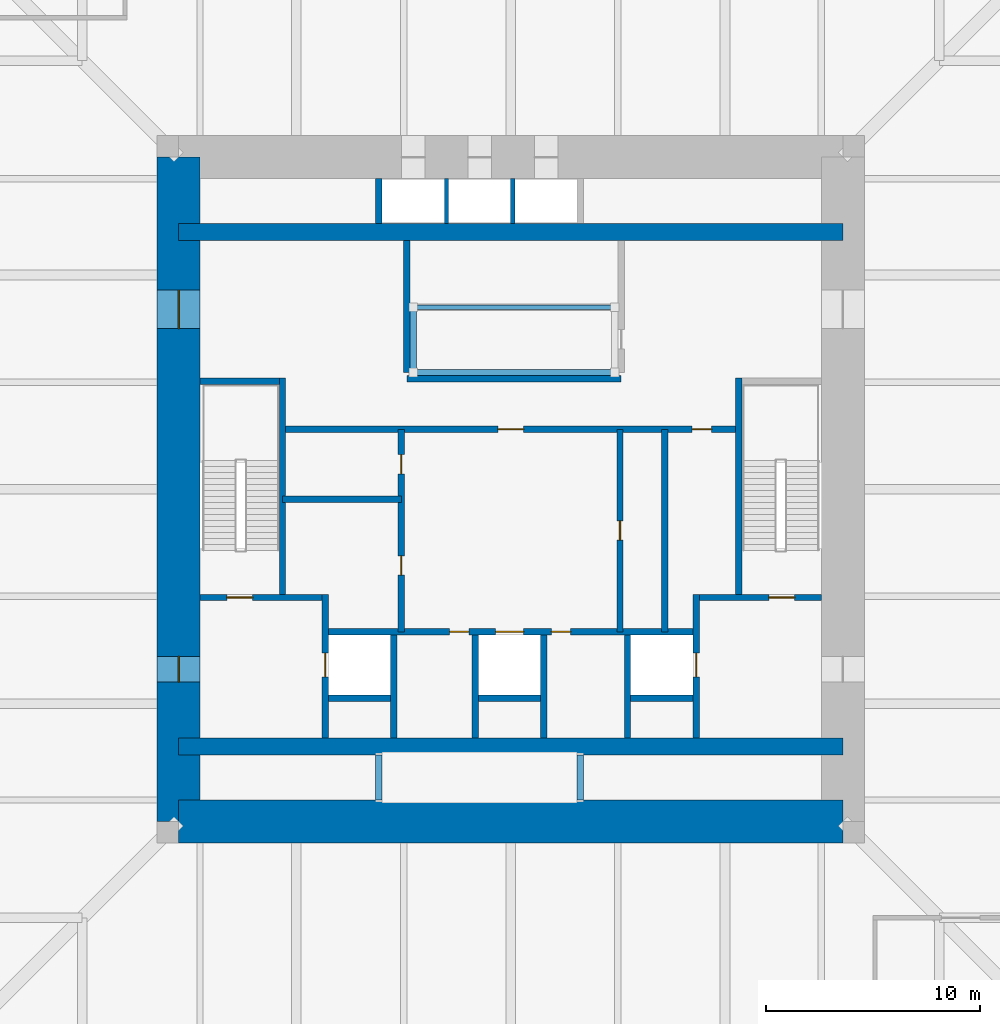
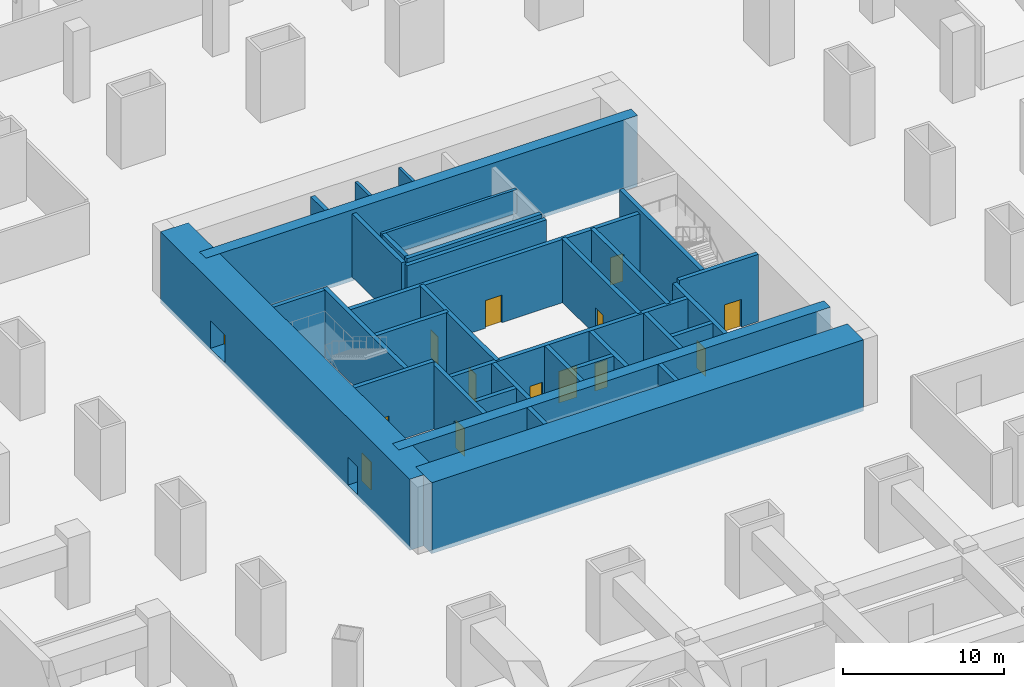
# One storey, part 6 of 12: 34 walls, 14 doors, 14 openings.
"""IFC4 building model written with IfcOpenShell, lengths in metres."""

from ifc_helpers import new_model, si_unit, direction, frame, frame_2d, origin, place, context, subcontext, project, spatial, rectangle, extrude, material, layer, layer_set, type_object, element, fill, save


model = new_model("IFC4")

# Units and contexts
model_context = context("Model", 3, precision=1e-05, world=origin(), true_north=direction((0.0, 1.0)))
body_context = subcontext(model_context, "Body", "Model", "MODEL_VIEW")
ifc_project = project(units=[si_unit("LENGTHUNIT", "METRE"), si_unit("AREAUNIT", "SQUARE_METRE"), si_unit("VOLUMEUNIT", "CUBIC_METRE"), si_unit("PLANEANGLEUNIT", "RADIAN"), si_unit("MASSUNIT", "GRAM", prefix="KILO")], contexts=[model_context])

# Site, building, storey
site_placement = place(None, origin())
site = spatial("IfcSite", under=ifc_project, at=site_placement, CompositionType="ELEMENT")
building_placement = place(site_placement, origin())
building = spatial("IfcBuilding", under=site, at=building_placement, Name="Khuree Lantern Residences", CompositionType="ELEMENT")
storey_placement = place(building_placement, frame((0.0, 0.0, -5.39990234375)))
storey = spatial("IfcBuildingStorey", under=building, at=storey_placement, Name="B1", CompositionType="ELEMENT", Elevation=-5.39990234375)

# Wall, opening, door
ifc_material_1 = material(Name="Dense concrete blockwork", Category="masonry")
ifc_layer_1 = layer(ifc_material_1, 0.300048828125)
ifc_layer_set_1 = layer_set([ifc_layer_1], Name="CORE PARTITION WALL CPW300 EI 120")
wall_type_1 = type_object("IfcWallType", Name="CORE PARTITION WALL CPW300 EI 120", PredefinedType="PARTITIONING", material=ifc_layer_set_1)
wall_1_placement = place(storey_placement, frame((-8.64990234375, -11.60009765625, 0.0), z_axis=(0.0, 0.0, 1.0), x_axis=(0.0, 1.0, 0.0)))
wall_1 = element("IfcWall", 1, at=wall_1_placement, inside=storey, type_object=wall_type_1, Name="B1 CORE WALL FL1W", PredefinedType="PARTITIONING", context=body_context, shape_type="SweptSolid", body=[
    extrude(rectangle(XDim=6.7001953125, YDim=0.300048828125, at=frame_2d((3.35009765625, 0.0))), origin(), (0.0, 0.0, 1.0), 4.7998046875),
])
opening_1_placement = place(wall_1_placement, frame((2.85009765625, 0.0, 0.0)))
opening_1 = element("IfcOpeningElement", 2, at=opening_1_placement, cuts=wall_1, Name="Opening B1-007", PredefinedType="OPENING", context=body_context, shape_type="SweptSolid", body=[
    extrude(rectangle(XDim=1.10009765625, YDim=2.10009765625, at=frame_2d((0.550048828125, 1.050048828125))), frame((0.0, 0.16015625, 0.0), z_axis=(0.0, -1.0, 0.0), x_axis=(1.0, 0.0, 0.0)), (0.0, 0.0, 1.0), 0.320068359375),
])
ifc_material_2 = material(Name="Stainless steel lift landing door", Category="steel")
door_type_1 = type_object("IfcDoorType", Name="LIFT LANDING DOOR 1100X2100 E 120", OperationType="DOUBLE_DOOR_SLIDING", PredefinedType="DOOR", material=ifc_material_2)
door_1_placement = place(opening_1_placement, origin())
door_1 = element("IfcDoor", 3, at=door_1_placement, inside=storey, type_object=door_type_1, Name="Landing door FL1 B1-007", OperationType="DOUBLE_DOOR_SLIDING", OverallHeight=2.10009765625, OverallWidth=1.10009765625, PredefinedType="DOOR", context=body_context, shape_type="SweptSolid", body=[
    extrude(rectangle(XDim=1.10009765625, YDim=2.10009765625, at=frame_2d((0.550048828125, 1.050048828125))), frame((0.0, 0.02490234375, 0.0), z_axis=(0.0, -1.0, 0.0), x_axis=(1.0, 0.0, 0.0)), (0.0, 0.0, 1.0), 0.050048828125),
])
fill(opening_1, door_1)

wall_2_placement = place(storey_placement, frame((8.64990234375, -11.60009765625, 0.0), z_axis=(0.0, 0.0, 1.0), x_axis=(0.0, 1.0, 0.0)))
wall_2 = element("IfcWall", 4, at=wall_2_placement, inside=storey, type_object=wall_type_1, Name="B1 CORE WALL FL2E", PredefinedType="PARTITIONING", context=body_context, shape_type="SweptSolid", body=[
    extrude(rectangle(XDim=6.7001953125, YDim=0.300048828125, at=frame_2d((3.35009765625, 0.0))), origin(), (0.0, 0.0, 1.0), 4.7998046875),
])
opening_2_placement = place(wall_2_placement, frame((2.85009765625, 0.0, 0.0)))
opening_2 = element("IfcOpeningElement", 5, at=opening_2_placement, cuts=wall_2, Name="Opening B1-008", PredefinedType="OPENING", context=body_context, shape_type="SweptSolid", body=[
    extrude(rectangle(XDim=1.10009765625, YDim=2.10009765625, at=frame_2d((0.550048828125, 1.050048828125))), frame((0.0, 0.16015625, 0.0), z_axis=(0.0, -1.0, 0.0), x_axis=(1.0, 0.0, 0.0)), (0.0, 0.0, 1.0), 0.320068359375),
])
door_2_placement = place(opening_2_placement, origin())
door_2 = element("IfcDoor", 6, at=door_2_placement, inside=storey, type_object=door_type_1, Name="Landing door FL2 B1-008", OperationType="DOUBLE_DOOR_SLIDING", OverallHeight=2.10009765625, OverallWidth=1.10009765625, PredefinedType="DOOR", context=body_context, shape_type="SweptSolid", body=[
    extrude(rectangle(XDim=1.10009765625, YDim=2.10009765625, at=frame_2d((0.550048828125, 1.050048828125))), frame((0.0, 0.02490234375, 0.0), z_axis=(0.0, -1.0, 0.0), x_axis=(1.0, 0.0, 0.0)), (0.0, 0.0, 1.0), 0.050048828125),
])
fill(opening_2, door_2)

# Wall, openings, doors
wall_3_placement = place(storey_placement, frame((-8.5, -6.64990234375, 0.0), z_axis=(0.0, 0.0, 1.0), x_axis=(1.0, 0.0, 0.0)))
wall_3 = element("IfcWall", 7, at=wall_3_placement, inside=storey, type_object=wall_type_1, Name="B1 CORE WALL FLROW", PredefinedType="PARTITIONING", context=body_context, shape_type="SweptSolid", body=[
    extrude(rectangle(XDim=17.0, YDim=0.300048828125, at=frame_2d((8.5, 0.0))), origin(), (0.0, 0.0, 1.0), 4.7998046875),
])
opening_3_placement = place(wall_3_placement, frame((7.800048828125, 0.0, 0.0)))
opening_3 = element("IfcOpeningElement", 8, at=opening_3_placement, cuts=wall_3, Name="Opening B1-012", PredefinedType="OPENING", context=body_context, shape_type="SweptSolid", body=[
    extrude(rectangle(XDim=1.300048828125, YDim=2.39990234375, at=frame_2d((0.64990234375, 1.199951171875))), frame((0.0, 0.16015625, 0.0), z_axis=(0.0, -1.0, 0.0), x_axis=(1.0, 0.0, 0.0)), (0.0, 0.0, 1.0), 0.320068359375),
])
opening_4_placement = place(wall_3_placement, frame((5.64990234375, 0.0, 0.0)))
opening_4 = element("IfcOpeningElement", 9, at=opening_4_placement, cuts=wall_3, Name="Opening B1-014", PredefinedType="OPENING", context=body_context, shape_type="SweptSolid", body=[
    extrude(rectangle(XDim=0.89990234375, YDim=2.10009765625, at=frame_2d((0.449951171875, 1.050048828125))), frame((0.0, 0.16015625, 0.0), z_axis=(0.0, -1.0, 0.0), x_axis=(1.0, 0.0, 0.0)), (0.0, 0.0, 1.0), 0.320068359375),
])
opening_5_placement = place(wall_3_placement, frame((10.39990234375, 0.0, 0.0)))
opening_5 = element("IfcOpeningElement", 10, at=opening_5_placement, cuts=wall_3, Name="Opening B1-015", PredefinedType="OPENING", context=body_context, shape_type="SweptSolid", body=[
    extrude(rectangle(XDim=0.89990234375, YDim=2.10009765625, at=frame_2d((0.449951171875, 1.050048828125))), frame((0.0, 0.16015625, 0.0), z_axis=(0.0, -1.0, 0.0), x_axis=(1.0, 0.0, 0.0)), (0.0, 0.0, 1.0), 0.320068359375),
])
ifc_material_3 = material(Name="Steel door leaf in steel frame", Category="steel")
door_type_2 = type_object("IfcDoorType", Name="DOOR 900X2100 EI 60", OperationType="SINGLE_SWING_LEFT", PredefinedType="DOOR", material=ifc_material_3)
door_3_placement = place(opening_4_placement, origin())
door_3 = element("IfcDoor", 11, at=door_3_placement, inside=storey, type_object=door_type_2, Name="Electrical riser door B1-014", OperationType="SINGLE_SWING_LEFT", OverallHeight=2.10009765625, OverallWidth=0.89990234375, PredefinedType="DOOR", context=body_context, shape_type="SweptSolid", body=[
    extrude(rectangle(XDim=0.89990234375, YDim=2.10009765625, at=frame_2d((0.449951171875, 1.050048828125))), frame((0.0, 0.02490234375, 0.0), z_axis=(0.0, -1.0, 0.0), x_axis=(1.0, 0.0, 0.0)), (0.0, 0.0, 1.0), 0.050048828125),
])
fill(opening_4, door_3)
door_type_3 = type_object("IfcDoorType", Name="DOOR 900X2100 EI 60 RIGHT HAND", OperationType="SINGLE_SWING_RIGHT", PredefinedType="DOOR", material=ifc_material_3)
door_4_placement = place(opening_5_placement, origin())
door_4 = element("IfcDoor", 12, at=door_4_placement, inside=storey, type_object=door_type_3, Name="Plumbing riser door B1-015", OperationType="SINGLE_SWING_RIGHT", OverallHeight=2.10009765625, OverallWidth=0.89990234375, PredefinedType="DOOR", context=body_context, shape_type="SweptSolid", body=[
    extrude(rectangle(XDim=0.89990234375, YDim=2.10009765625, at=frame_2d((0.449951171875, 1.050048828125))), frame((0.0, 0.02490234375, 0.0), z_axis=(0.0, -1.0, 0.0), x_axis=(1.0, 0.0, 0.0)), (0.0, 0.0, 1.0), 0.050048828125),
])
fill(opening_5, door_4)
door_type_4 = type_object("IfcDoorType", Name="LIFT LANDING DOOR 1300X2400 E 60", OperationType="DOUBLE_DOOR_SLIDING", PredefinedType="DOOR", material=ifc_material_2)
door_5_placement = place(opening_3_placement, origin())
door_5 = element("IfcDoor", 13, at=door_5_placement, inside=storey, type_object=door_type_4, Name="Landing door SL1 B1-012", OperationType="DOUBLE_DOOR_SLIDING", OverallHeight=2.39990234375, OverallWidth=1.300048828125, PredefinedType="DOOR", context=body_context, shape_type="SweptSolid", body=[
    extrude(rectangle(XDim=1.300048828125, YDim=2.39990234375, at=frame_2d((0.64990234375, 1.199951171875))), frame((0.0, 0.02490234375, 0.0), z_axis=(0.0, -1.0, 0.0), x_axis=(1.0, 0.0, 0.0)), (0.0, 0.0, 1.0), 0.050048828125),
])
fill(opening_3, door_5)

# Walls
for number, where, z_axis, x_axis, name in (
    (14, (-5.449951171875, -11.60009765625, 0.0), (0.0, 0.0, 1.0), (0.0, 1.0, 0.0), "B1 CORE WALL FL1E"),
    (15, (-1.64990234375, -11.60009765625, 0.0), (0.0, 0.0, 1.0), (0.0, 1.0, 0.0), "B1 CORE WALL SL1W"),
    (16, (1.550048828125, -11.60009765625, 0.0), (0.0, 0.0, 1.0), (0.0, 1.0, 0.0), "B1 CORE WALL SL1E"),
    (17, (5.449951171875, -11.60009765625, 0.0), (0.0, 0.0, 1.0), (0.0, 1.0, 0.0), "B1 CORE WALL FL2W"),
):
    element("IfcWall", number, at=place(storey_placement, frame(where, z_axis=z_axis, x_axis=x_axis)), inside=storey, type_object=wall_type_1, Name=name, PredefinedType="PARTITIONING", context=body_context, shape_type="SweptSolid", body=[
        extrude(rectangle(XDim=4.800048828125, YDim=0.300048828125, at=frame_2d((2.39990234375, 0.0))), origin(), (0.0, 0.0, 1.0), 4.7998046875),
    ])
for number, where, z_axis, x_axis, name in (
    (18, (-8.5, -9.75, 0.0), (0.0, 0.0, 1.0), (1.0, 0.0, 0.0), "B1 CORE WALL FL1S"),
    (19, (-1.5, -9.75, 0.0), (0.0, 0.0, 1.0), (1.0, 0.0, 0.0), "B1 CORE WALL SL1S"),
    (20, (5.60009765625, -9.75, 0.0), (0.0, 0.0, 1.0), (1.0, 0.0, 0.0), "B1 CORE WALL FL2S"),
):
    element("IfcWall", number, at=place(storey_placement, frame(where, z_axis=z_axis, x_axis=x_axis)), inside=storey, type_object=wall_type_1, Name=name, PredefinedType="PARTITIONING", context=body_context, shape_type="SweptSolid", body=[
        extrude(rectangle(XDim=2.89990234375, YDim=0.300048828125, at=frame_2d((1.449951171875, 0.0))), origin(), (0.0, 0.0, 1.0), 4.7998046875),
    ])
wall_4_placement = place(storey_placement, frame((-6.14990234375, 12.39990234375, 0.0), z_axis=(0.0, 0.0, 1.0), x_axis=(0.0, 1.0, 0.0)))
element("IfcWall", 21, at=wall_4_placement, inside=storey, type_object=wall_type_1, Name="B1 CORE WALL PLW", PredefinedType="PARTITIONING", context=body_context, shape_type="SweptSolid", body=[
    extrude(rectangle(XDim=2.10009765625, YDim=0.300048828125, at=frame_2d((1.050048828125, 0.0))), origin(), (0.0, 0.0, 1.0), 4.7998046875),
])

# Wall, openings, doors
wall_5_placement = place(storey_placement, frame((-10.64990234375, 2.800048828125, 0.0), z_axis=(0.0, 0.0, 1.0), x_axis=(1.0, 0.0, 0.0)))
wall_5 = element("IfcWall", 22, at=wall_5_placement, inside=storey, type_object=wall_type_1, Name="B1 CORE WALL LLS", PredefinedType="PARTITIONING", context=body_context, shape_type="SweptSolid", body=[
    extrude(rectangle(XDim=21.2998046875, YDim=0.300048828125, at=frame_2d((10.64990234375, 0.0))), origin(), (0.0, 0.0, 1.0), 4.7998046875),
])
opening_6_placement = place(wall_5_placement, frame((10.050048828125, 0.0, 0.0)))
opening_6 = element("IfcOpeningElement", 23, at=opening_6_placement, cuts=wall_5, Name="Opening B1-013", PredefinedType="OPENING", context=body_context, shape_type="SweptSolid", body=[
    extrude(rectangle(XDim=1.199951171875, YDim=2.10009765625, at=frame_2d((0.60009765625, 1.050048828125))), frame((0.0, 0.16015625, 0.0), z_axis=(0.0, -1.0, 0.0), x_axis=(1.0, 0.0, 0.0)), (0.0, 0.0, 1.0), 0.320068359375),
])
opening_7_placement = place(wall_5_placement, frame((19.12109375, 0.0, 0.0)))
opening_7 = element("IfcOpeningElement", 24, at=opening_7_placement, cuts=wall_5, Name="Opening B1-019", PredefinedType="OPENING", context=body_context, shape_type="SweptSolid", body=[
    extrude(rectangle(XDim=0.89990234375, YDim=2.10009765625, at=frame_2d((0.449951171875, 1.050048828125))), frame((0.0, 0.16015625, 0.0), z_axis=(0.0, -1.0, 0.0), x_axis=(1.0, 0.0, 0.0)), (0.0, 0.0, 1.0), 0.320068359375),
])
door_type_5 = type_object("IfcDoorType", Name="DOOR 1200X2100 EI 60", OperationType="SINGLE_SWING_LEFT", PredefinedType="DOOR", material=ifc_material_3)
door_6_placement = place(opening_6_placement, origin())
door_6 = element("IfcDoor", 25, at=door_6_placement, inside=storey, type_object=door_type_5, Name="Service lift lobby door B1-013", OperationType="SINGLE_SWING_LEFT", OverallHeight=2.10009765625, OverallWidth=1.199951171875, PredefinedType="DOOR", context=body_context, shape_type="SweptSolid", body=[
    extrude(rectangle(XDim=1.199951171875, YDim=2.10009765625, at=frame_2d((0.60009765625, 1.050048828125))), frame((0.0, 0.02490234375, 0.0), z_axis=(0.0, -1.0, 0.0), x_axis=(1.0, 0.0, 0.0)), (0.0, 0.0, 1.0), 0.050048828125),
])
fill(opening_6, door_6)
ifc_material_4 = material(Name="Timber door leaf in hardwood frame", Category="wood")
door_type_6 = type_object("IfcDoorType", Name="DOOR 900X2100 RIGHT HAND", OperationType="SINGLE_SWING_RIGHT", PredefinedType="DOOR", material=ifc_material_4)
door_7_placement = place(opening_7_placement, origin())
door_7 = element("IfcDoor", 26, at=door_7_placement, inside=storey, type_object=door_type_6, Name="Store door B1-019", OperationType="SINGLE_SWING_RIGHT", OverallHeight=2.10009765625, OverallWidth=0.89990234375, PredefinedType="DOOR", context=body_context, shape_type="SweptSolid", body=[
    extrude(rectangle(XDim=0.89990234375, YDim=2.10009765625, at=frame_2d((0.449951171875, 1.050048828125))), frame((0.0, 0.02490234375, 0.0), z_axis=(0.0, -1.0, 0.0), x_axis=(1.0, 0.0, 0.0)), (0.0, 0.0, 1.0), 0.050048828125),
])
fill(opening_7, door_7)

wall_6_placement = place(storey_placement, frame((-5.10009765625, -6.64990234375, 0.0), z_axis=(0.0, 0.0, 1.0), x_axis=(0.0, 1.0, 0.0)))
wall_6 = element("IfcWall", 27, at=wall_6_placement, inside=storey, type_object=wall_type_1, Name="B1 CORE WALL SVW", PredefinedType="PARTITIONING", context=body_context, shape_type="SweptSolid", body=[
    extrude(rectangle(XDim=9.449951171875, YDim=0.300048828125, at=frame_2d((4.72509765625, 0.0))), origin(), (0.0, 0.0, 1.0), 4.7998046875),
])
opening_8_placement = place(wall_6_placement, frame((2.64794921875, 0.0, 0.0)))
opening_8 = element("IfcOpeningElement", 28, at=opening_8_placement, cuts=wall_6, Name="Opening B1-016", PredefinedType="OPENING", context=body_context, shape_type="SweptSolid", body=[
    extrude(rectangle(XDim=0.89990234375, YDim=2.10009765625, at=frame_2d((0.449951171875, 1.050048828125))), frame((0.0, 0.16015625, 0.0), z_axis=(0.0, -1.0, 0.0), x_axis=(1.0, 0.0, 0.0)), (0.0, 0.0, 1.0), 0.320068359375),
])
opening_9_placement = place(wall_6_placement, frame((7.373046875, 0.0, 0.0)))
opening_9 = element("IfcOpeningElement", 29, at=opening_9_placement, cuts=wall_6, Name="Opening B1-017", PredefinedType="OPENING", context=body_context, shape_type="SweptSolid", body=[
    extrude(rectangle(XDim=0.89990234375, YDim=2.10009765625, at=frame_2d((0.449951171875, 1.050048828125))), frame((0.0, 0.16015625, 0.0), z_axis=(0.0, -1.0, 0.0), x_axis=(1.0, 0.0, 0.0)), (0.0, 0.0, 1.0), 0.320068359375),
])
door_type_7 = type_object("IfcDoorType", Name="DOOR 900X2100", OperationType="SINGLE_SWING_LEFT", PredefinedType="DOOR", material=ifc_material_4)
door_8_placement = place(opening_8_placement, origin())
door_8 = element("IfcDoor", 30, at=door_8_placement, inside=storey, type_object=door_type_7, Name="Store door B1-016", OperationType="SINGLE_SWING_LEFT", OverallHeight=2.10009765625, OverallWidth=0.89990234375, PredefinedType="DOOR", context=body_context, shape_type="SweptSolid", body=[
    extrude(rectangle(XDim=0.89990234375, YDim=2.10009765625, at=frame_2d((0.449951171875, 1.050048828125))), frame((0.0, 0.02490234375, 0.0), z_axis=(0.0, -1.0, 0.0), x_axis=(1.0, 0.0, 0.0)), (0.0, 0.0, 1.0), 0.050048828125),
])
fill(opening_8, door_8)
door_9_placement = place(opening_9_placement, origin())
door_9 = element("IfcDoor", 31, at=door_9_placement, inside=storey, type_object=door_type_7, Name="Maintenance store door B1-017", OperationType="SINGLE_SWING_LEFT", OverallHeight=2.10009765625, OverallWidth=0.89990234375, PredefinedType="DOOR", context=body_context, shape_type="SweptSolid", body=[
    extrude(rectangle(XDim=0.89990234375, YDim=2.10009765625, at=frame_2d((0.449951171875, 1.050048828125))), frame((0.0, 0.02490234375, 0.0), z_axis=(0.0, -1.0, 0.0), x_axis=(1.0, 0.0, 0.0)), (0.0, 0.0, 1.0), 0.050048828125),
])
fill(opening_9, door_9)

# Wall, opening, door
wall_7_placement = place(storey_placement, frame((5.10009765625, -6.64990234375, 0.0), z_axis=(0.0, 0.0, 1.0), x_axis=(0.0, 1.0, 0.0)))
wall_7 = element("IfcWall", 32, at=wall_7_placement, inside=storey, type_object=wall_type_1, Name="B1 CORE WALL SVE", PredefinedType="PARTITIONING", context=body_context, shape_type="SweptSolid", body=[
    extrude(rectangle(XDim=9.449951171875, YDim=0.300048828125, at=frame_2d((4.72509765625, 0.0))), origin(), (0.0, 0.0, 1.0), 4.7998046875),
])
opening_10_placement = place(wall_7_placement, frame((4.27490234375, 0.0, 0.0)))
opening_10 = element("IfcOpeningElement", 33, at=opening_10_placement, cuts=wall_7, Name="Opening B1-018", PredefinedType="OPENING", context=body_context, shape_type="SweptSolid", body=[
    extrude(rectangle(XDim=0.89990234375, YDim=2.10009765625, at=frame_2d((0.449951171875, 1.050048828125))), frame((0.0, 0.16015625, 0.0), z_axis=(0.0, -1.0, 0.0), x_axis=(1.0, 0.0, 0.0)), (0.0, 0.0, 1.0), 0.320068359375),
])
door_10_placement = place(opening_10_placement, origin())
door_10 = element("IfcDoor", 34, at=door_10_placement, inside=storey, type_object=door_type_7, Name="Spares store door B1-018", OperationType="SINGLE_SWING_LEFT", OverallHeight=2.10009765625, OverallWidth=0.89990234375, PredefinedType="DOOR", context=body_context, shape_type="SweptSolid", body=[
    extrude(rectangle(XDim=0.89990234375, YDim=2.10009765625, at=frame_2d((0.449951171875, 1.050048828125))), frame((0.0, 0.02490234375, 0.0), z_axis=(0.0, -1.0, 0.0), x_axis=(1.0, 0.0, 0.0)), (0.0, 0.0, 1.0), 0.050048828125),
])
fill(opening_10, door_10)

# Walls
wall_8_placement = place(storey_placement, frame((-10.64990234375, -0.455078125, 0.0), z_axis=(0.0, 0.0, 1.0), x_axis=(1.0, 0.0, 0.0)))
element("IfcWall", 35, at=wall_8_placement, inside=storey, type_object=wall_type_1, Name="B1 CORE WALL WX", PredefinedType="PARTITIONING", context=body_context, shape_type="SweptSolid", body=[
    extrude(rectangle(XDim=5.5498046875, YDim=0.300048828125, at=frame_2d((2.77490234375, 0.0))), origin(), (0.0, 0.0, 1.0), 4.7998046875),
])
wall_9_placement = place(storey_placement, frame((7.193115234375, -6.64990234375, 0.0), z_axis=(0.0, 0.0, 1.0), x_axis=(0.0, 1.0, 0.0)))
element("IfcWall", 36, at=wall_9_placement, inside=storey, type_object=wall_type_1, Name="B1 CORE WALL EV", PredefinedType="PARTITIONING", context=body_context, shape_type="SweptSolid", body=[
    extrude(rectangle(XDim=9.449951171875, YDim=0.300048828125, at=frame_2d((4.72509765625, 0.0))), origin(), (0.0, 0.0, 1.0), 4.7998046875),
])
wall_10_placement = place(storey_placement, frame((-4.85009765625, 5.14990234375, 0.0), z_axis=(0.0, 0.0, 1.0), x_axis=(1.0, 0.0, 0.0)))
element("IfcWall", 37, at=wall_10_placement, inside=storey, type_object=wall_type_1, Name="B1 CORE WALL LLN", PredefinedType="PARTITIONING", context=body_context, shape_type="SweptSolid", body=[
    extrude(rectangle(XDim=10.0, YDim=0.300048828125, at=frame_2d((5.0, 0.0))), origin(), (0.0, 0.0, 1.0), 4.7998046875),
])
wall_11_placement = place(storey_placement, frame((-4.85009765625, 5.449951171875, 0.0), z_axis=(0.0, 0.0, 1.0), x_axis=(0.0, 1.0, 0.0)))
element("IfcWall", 38, at=wall_11_placement, inside=storey, type_object=wall_type_1, Name="B1 CORE WALL NW", PredefinedType="PARTITIONING", context=body_context, shape_type="SweptSolid", body=[
    extrude(rectangle(XDim=6.150146484375, YDim=0.300048828125, at=frame_2d((3.0751953125, 0.0))), origin(), (0.0, 0.0, 1.0), 4.7998046875),
])
ifc_material_5 = material(Name="Concrete C70/85", Category="concrete")
ifc_layer_2 = layer(ifc_material_5, 2.0)
ifc_layer_set_2 = layer_set([ifc_layer_2], Name="CW2000-C70 CORE WALL C70 2000")
wall_type_2 = type_object("IfcWallType", Name="CW2000-C70 CORE WALL C70 2000", PredefinedType="SHEAR", material=ifc_layer_set_2)
wall_12_placement = place(storey_placement, frame((-15.5, -15.5, -0.300048828125), z_axis=(0.0, 0.0, 1.0), x_axis=(1.0, 0.0, 0.0)))
element("IfcWall", 39, at=wall_12_placement, inside=storey, type_object=wall_type_2, Name="Core wall S", PredefinedType="SHEAR", context=body_context, shape_type="SweptSolid", body=[
    extrude(rectangle(XDim=31.0, YDim=2.0, at=frame_2d((15.5, 0.0))), origin(), (0.0, 0.0, 1.0), 5.39990234375),
])

# Wall, openings, doors
wall_13_placement = place(storey_placement, frame((-15.5, -15.5, -0.300048828125), z_axis=(0.0, 0.0, 1.0), x_axis=(0.0, 1.0, 0.0)))
wall_13 = element("IfcWall", 40, at=wall_13_placement, inside=storey, type_object=wall_type_2, Name="Core wall W", PredefinedType="SHEAR", context=body_context, shape_type="SweptSolid", body=[
    extrude(rectangle(XDim=31.0, YDim=2.0, at=frame_2d((15.5, 0.0))), origin(), (0.0, 0.0, 1.0), 5.39990234375),
])
opening_11_placement = place(wall_13_placement, frame((6.5, 0.0, 0.300048828125)))
opening_11 = element("IfcOpeningElement", 41, at=opening_11_placement, cuts=wall_13, Name="Opening B1-002", PredefinedType="OPENING", context=body_context, shape_type="SweptSolid", body=[
    extrude(rectangle(XDim=1.199951171875, YDim=2.10009765625, at=frame_2d((0.60009765625, 1.050048828125))), frame((0.0, 1.010009765625, 0.0), z_axis=(0.0, -1.0, 0.0), x_axis=(1.0, 0.0, 0.0)), (0.0, 0.0, 1.0), 2.02001953125),
])
opening_12_placement = place(wall_13_placement, frame((23.0, 0.0, 0.300048828125)))
opening_12 = element("IfcOpeningElement", 42, at=opening_12_placement, cuts=wall_13, Name="Opening B1-003", PredefinedType="OPENING", context=body_context, shape_type="SweptSolid", body=[
    extrude(rectangle(XDim=1.800048828125, YDim=2.10009765625, at=frame_2d((0.89990234375, 1.050048828125))), frame((0.0, 1.010009765625, 0.0), z_axis=(0.0, -1.0, 0.0), x_axis=(1.0, 0.0, 0.0)), (0.0, 0.0, 1.0), 2.02001953125),
])
door_type_8 = type_object("IfcDoorType", Name="LOBBY DOOR 1200X2100 EI 120", OperationType="SINGLE_SWING_LEFT", PredefinedType="DOOR", material=ifc_material_3)
door_11_placement = place(opening_11_placement, origin())
door_11 = element("IfcDoor", 43, at=door_11_placement, inside=storey, type_object=door_type_8, Name="Firefighting lobby door B1-002", OperationType="SINGLE_SWING_LEFT", OverallHeight=2.10009765625, OverallWidth=1.199951171875, PredefinedType="DOOR", context=body_context, shape_type="SweptSolid", body=[
    extrude(rectangle(XDim=1.199951171875, YDim=2.10009765625, at=frame_2d((0.60009765625, 1.050048828125))), frame((0.0, 0.02490234375, 0.0), z_axis=(0.0, -1.0, 0.0), x_axis=(1.0, 0.0, 0.0)), (0.0, 0.0, 1.0), 0.050048828125),
])
fill(opening_11, door_11)
door_type_9 = type_object("IfcDoorType", Name="LOBBY DOUBLE DOOR 1800X2100 EI 60", OperationType="DOUBLE_DOOR_SINGLE_SWING", PredefinedType="DOOR", material=ifc_material_3)
door_12_placement = place(opening_12_placement, origin())
door_12 = element("IfcDoor", 44, at=door_12_placement, inside=storey, type_object=door_type_9, Name="Lift lobby door B1-003", OperationType="DOUBLE_DOOR_SINGLE_SWING", OverallHeight=2.10009765625, OverallWidth=1.800048828125, PredefinedType="DOOR", context=body_context, shape_type="SweptSolid", body=[
    extrude(rectangle(XDim=1.800048828125, YDim=2.10009765625, at=frame_2d((0.89990234375, 1.050048828125))), frame((0.0, 0.02490234375, 0.0), z_axis=(0.0, -1.0, 0.0), x_axis=(1.0, 0.0, 0.0)), (0.0, 0.0, 1.0), 0.050048828125),
])
fill(opening_12, door_12)

# Walls
ifc_material_6 = material(Name="Concrete C40/50", Category="concrete")
ifc_layer_3 = layer(ifc_material_6, 0.300048828125)
ifc_layer_set_3 = layer_set([ifc_layer_3], Name="LIFT PIT WALL PW2 300")
wall_type_3 = type_object("IfcWallType", Name="LIFT PIT WALL PW2 300", PredefinedType="SOLIDWALL", material=ifc_layer_set_3)
wall_14_placement = place(storey_placement, frame((-4.699951171875, 5.449951171875, 3.2998046875), z_axis=(0.0, 0.0, 1.0), x_axis=(1.0, 0.0, 0.0)))
element("IfcWall", 45, at=wall_14_placement, inside=storey, type_object=wall_type_3, Name="Lift bank PH pit wall", PredefinedType="SOLIDWALL", context=body_context, shape_type="SweptSolid", body=[
    extrude(rectangle(XDim=9.699951171875, YDim=0.300048828125, at=frame_2d((4.85009765625, 0.0))), origin(), (0.0, 0.0, 1.0), 1.800048828125),
])
wall_15_placement = place(storey_placement, frame((-4.550048828125, 5.60009765625, 3.2998046875), z_axis=(0.0, 0.0, 1.0), x_axis=(0.0, 1.0, 0.0)))
element("IfcWall", 46, at=wall_15_placement, inside=storey, type_object=wall_type_3, Name="Lift bank PH pit wall", PredefinedType="SOLIDWALL", context=body_context, shape_type="SweptSolid", body=[
    extrude(rectangle(XDim=2.7998046875, YDim=0.300048828125, at=frame_2d((1.39990234375, 0.0))), origin(), (0.0, 0.0, 1.0), 1.800048828125),
])
for number, where, z_axis, x_axis, name in (
    (47, (-6.14990234375, -14.5, 3.2998046875), (0.0, 0.0, 1.0), (0.0, 1.0, 0.0), "Lift bank PM pit wall"),
    (48, (3.25, -14.5, 3.2998046875), (0.0, 0.0, 1.0), (0.0, 1.0, 0.0), "Lift bank PM pit wall"),
):
    element("IfcWall", number, at=place(storey_placement, frame(where, z_axis=z_axis, x_axis=x_axis)), inside=storey, type_object=wall_type_3, Name=name, PredefinedType="SOLIDWALL", context=body_context, shape_type="SweptSolid", body=[
        extrude(rectangle(XDim=2.10009765625, YDim=0.300048828125, at=frame_2d((1.050048828125, 0.0))), origin(), (0.0, 0.0, 1.0), 1.800048828125),
    ])
ifc_layer_4 = layer(ifc_material_6, 0.199951171875)
ifc_layer_set_4 = layer_set([ifc_layer_4], Name="LIFT PIT WALL PW3 200")
wall_type_4 = type_object("IfcWallType", Name="LIFT PIT WALL PW3 200", PredefinedType="SOLIDWALL", material=ifc_layer_set_4)
wall_16_placement = place(storey_placement, frame((-4.699951171875, 8.5, 3.2998046875), z_axis=(0.0, 0.0, 1.0), x_axis=(1.0, 0.0, 0.0)))
element("IfcWall", 49, at=wall_16_placement, inside=storey, type_object=wall_type_4, Name="Lift bank PH pit wall", PredefinedType="SOLIDWALL", context=body_context, shape_type="SweptSolid", body=[
    extrude(rectangle(XDim=9.699951171875, YDim=0.199951171875, at=frame_2d((4.85009765625, 0.0))), origin(), (0.0, 0.0, 1.0), 1.800048828125),
])
ifc_layer_5 = layer(ifc_material_1, 0.199951171875)
ifc_layer_set_5 = layer_set([ifc_layer_5], Name="SHAFT WALL SHW200 EI 120")
wall_type_5 = type_object("IfcWallType", Name="SHAFT WALL SHW200 EI 120", PredefinedType="PARTITIONING", material=ifc_layer_set_5)
for number, where, z_axis, x_axis, name in (
    (50, (-3.0, 12.39990234375, 0.0), (0.0, 0.0, 1.0), (0.0, 1.0, 0.0), "B1 CORE WALL PLD1"),
    (51, (0.10009765625, 12.39990234375, 0.0), (0.0, 0.0, 1.0), (0.0, 1.0, 0.0), "B1 CORE WALL PLD2"),
):
    element("IfcWall", number, at=place(storey_placement, frame(where, z_axis=z_axis, x_axis=x_axis)), inside=storey, type_object=wall_type_5, Name=name, PredefinedType="PARTITIONING", context=body_context, shape_type="SweptSolid", body=[
        extrude(rectangle(XDim=2.10009765625, YDim=0.199951171875, at=frame_2d((1.050048828125, 0.0))), origin(), (0.0, 0.0, 1.0), 4.7998046875),
    ])
ifc_layer_6 = layer(ifc_material_5, 0.800048828125)
ifc_layer_set_6 = layer_set([ifc_layer_6], Name="SP800-C70 CORE SPINE WALL C70 800")
wall_type_6 = type_object("IfcWallType", Name="SP800-C70 CORE SPINE WALL C70 800", PredefinedType="SHEAR", material=ifc_layer_set_6)
for number, where, z_axis, x_axis, name in (
    (52, (-15.5, 12.0, -0.300048828125), (0.0, 0.0, 1.0), (1.0, 0.0, 0.0), "Core wall SPN"),
    (53, (-15.5, -12.0, -0.300048828125), (0.0, 0.0, 1.0), (1.0, 0.0, 0.0), "Core wall SPS"),
):
    element("IfcWall", number, at=place(storey_placement, frame(where, z_axis=z_axis, x_axis=x_axis)), inside=storey, type_object=wall_type_6, Name=name, PredefinedType="SHEAR", context=body_context, shape_type="SweptSolid", body=[
        extrude(rectangle(XDim=31.0, YDim=0.800048828125, at=frame_2d((15.5, 0.0))), origin(), (0.0, 0.0, 1.0), 5.39990234375),
    ])
ifc_material_7 = material(Name="Concrete C50/60", Category="concrete")
ifc_layer_7 = layer(ifc_material_7, 0.300048828125)
ifc_layer_set_7 = layer_set([ifc_layer_7], Name="STAIR WALL SRW300 C50/60 REI 240")
wall_type_7 = type_object("IfcWallType", Name="STAIR WALL SRW300 C50/60 REI 240", PredefinedType="SOLIDWALL", material=ifc_layer_set_7)
wall_17_placement = place(storey_placement, frame((-10.64990234375, -4.89990234375, 0.0), z_axis=(0.0, 0.0, 1.0), x_axis=(0.0, 1.0, 0.0)))
element("IfcWall", 54, at=wall_17_placement, inside=storey, type_object=wall_type_7, Name="B1 STAIR WALL ST1E", PredefinedType="SOLIDWALL", context=body_context, shape_type="SweptSolid", body=[
    extrude(rectangle(XDim=10.099853515625, YDim=0.300048828125, at=frame_2d((5.0498046875, 0.0))), origin(), (0.0, 0.0, 1.0), 5.099853515625),
])

# Wall, opening, door
wall_18_placement = place(storey_placement, frame((-14.5, -5.050048828125, 0.0), z_axis=(0.0, 0.0, 1.0), x_axis=(1.0, 0.0, 0.0)))
wall_18 = element("IfcWall", 55, at=wall_18_placement, inside=storey, type_object=wall_type_7, Name="B1 STAIR WALL ST1S", PredefinedType="SOLIDWALL", context=body_context, shape_type="SweptSolid", body=[
    extrude(rectangle(XDim=5.699951171875, YDim=0.300048828125, at=frame_2d((2.85009765625, 0.0))), origin(), (0.0, 0.0, 1.0), 5.099853515625),
])
opening_13_placement = place(wall_18_placement, frame((1.25, 0.0, 0.0)))
opening_13 = element("IfcOpeningElement", 56, at=opening_13_placement, cuts=wall_18, Name="Opening B1-001", PredefinedType="OPENING", context=body_context, shape_type="SweptSolid", body=[
    extrude(rectangle(XDim=1.199951171875, YDim=2.10009765625, at=frame_2d((0.60009765625, 1.050048828125))), frame((0.0, 0.16015625, 0.0), z_axis=(0.0, -1.0, 0.0), x_axis=(1.0, 0.0, 0.0)), (0.0, 0.0, 1.0), 0.320068359375),
])
door_type_10 = type_object("IfcDoorType", Name="STAIR DOOR 1200X2100 EI 120", OperationType="SINGLE_SWING_LEFT", PredefinedType="DOOR", material=ifc_material_3)
door_13_placement = place(opening_13_placement, origin())
door_13 = element("IfcDoor", 57, at=door_13_placement, inside=storey, type_object=door_type_10, Name="Stair ST1 door B1-001", OperationType="SINGLE_SWING_LEFT", OverallHeight=2.10009765625, OverallWidth=1.199951171875, PredefinedType="DOOR", context=body_context, shape_type="SweptSolid", body=[
    extrude(rectangle(XDim=1.199951171875, YDim=2.10009765625, at=frame_2d((0.60009765625, 1.050048828125))), frame((0.0, 0.02490234375, 0.0), z_axis=(0.0, -1.0, 0.0), x_axis=(1.0, 0.0, 0.0)), (0.0, 0.0, 1.0), 0.050048828125),
])
fill(opening_13, door_13)

# Walls
wall_19_placement = place(storey_placement, frame((-14.5, 5.050048828125, 0.0), z_axis=(0.0, 0.0, 1.0), x_axis=(1.0, 0.0, 0.0)))
element("IfcWall", 58, at=wall_19_placement, inside=storey, type_object=wall_type_7, Name="B1 STAIR WALL ST1N", PredefinedType="SOLIDWALL", context=body_context, shape_type="SweptSolid", body=[
    extrude(rectangle(XDim=3.699951171875, YDim=0.300048828125, at=frame_2d((1.85009765625, 0.0))), origin(), (0.0, 0.0, 1.0), 5.099853515625),
])
wall_20_placement = place(storey_placement, frame((10.64990234375, -4.89990234375, 0.0), z_axis=(0.0, 0.0, 1.0), x_axis=(0.0, 1.0, 0.0)))
element("IfcWall", 59, at=wall_20_placement, inside=storey, type_object=wall_type_7, Name="B1 STAIR WALL ST2E", PredefinedType="SOLIDWALL", context=body_context, shape_type="SweptSolid", body=[
    extrude(rectangle(XDim=10.099853515625, YDim=0.300048828125, at=frame_2d((5.0498046875, 0.0))), origin(), (0.0, 0.0, 1.0), 5.099853515625),
])

# Wall, opening, door
wall_21_placement = place(storey_placement, frame((14.5, -5.050048828125, 0.0), z_axis=(0.0, 0.0, 1.0), x_axis=(-1.0, 0.0, 0.0)))
wall_21 = element("IfcWall", 60, at=wall_21_placement, inside=storey, type_object=wall_type_7, Name="B1 STAIR WALL ST2S", PredefinedType="SOLIDWALL", context=body_context, shape_type="SweptSolid", body=[
    extrude(rectangle(XDim=5.699951171875, YDim=0.300048828125, at=frame_2d((2.85009765625, 0.0))), origin(), (0.0, 0.0, 1.0), 5.099853515625),
])
opening_14_placement = place(wall_21_placement, frame((1.25, 0.0, 0.0)))
opening_14 = element("IfcOpeningElement", 61, at=opening_14_placement, cuts=wall_21, Name="Opening B1-004", PredefinedType="OPENING", context=body_context, shape_type="SweptSolid", body=[
    extrude(rectangle(XDim=1.199951171875, YDim=2.10009765625, at=frame_2d((0.60009765625, 1.050048828125))), frame((0.0, 0.16015625, 0.0), z_axis=(0.0, -1.0, 0.0), x_axis=(1.0, 0.0, 0.0)), (0.0, 0.0, 1.0), 0.320068359375),
])
door_14_placement = place(opening_14_placement, origin())
door_14 = element("IfcDoor", 62, at=door_14_placement, inside=storey, type_object=door_type_10, Name="Stair ST2 door B1-004", OperationType="SINGLE_SWING_LEFT", OverallHeight=2.10009765625, OverallWidth=1.199951171875, PredefinedType="DOOR", context=body_context, shape_type="SweptSolid", body=[
    extrude(rectangle(XDim=1.199951171875, YDim=2.10009765625, at=frame_2d((0.60009765625, 1.050048828125))), frame((0.0, 0.02490234375, 0.0), z_axis=(0.0, -1.0, 0.0), x_axis=(1.0, 0.0, 0.0)), (0.0, 0.0, 1.0), 0.050048828125),
])
fill(opening_14, door_14)

save(model, "model.ifc")
